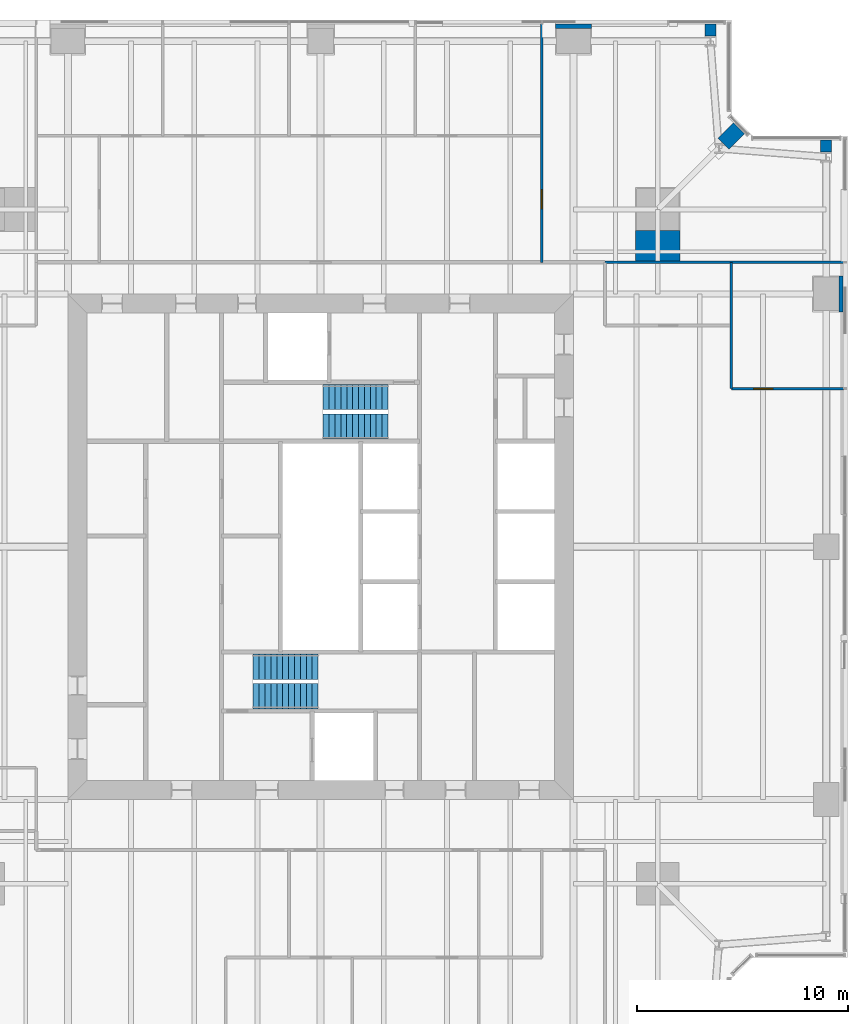
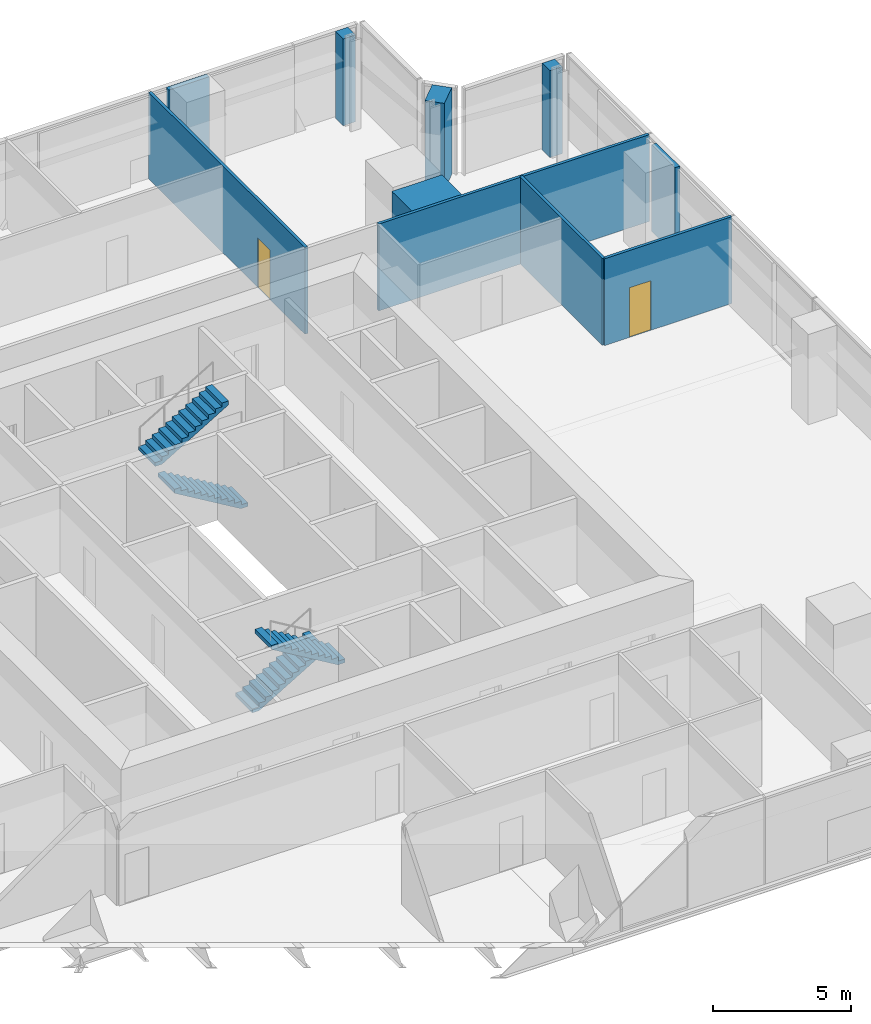
# One storey, part 12 of 14: 10 walls, 4 stair flights, 2 doors, 2 openings, 2 elements without a shape of their own.
"""IFC4 building model written with IfcOpenShell, lengths in metres."""

from ifc_helpers import new_model, si_unit, direction, frame, frame_2d, origin, place, context, subcontext, project, spatial, polyline, rectangle, outline, extrude, material, layer, layer_set, type_object, element, fill, aggregate, save


model = new_model("IFC4")

# Units and contexts
model_context = context("Model", 3, precision=1e-05, world=origin(), true_north=direction((0.0, 1.0)))
body_context = subcontext(model_context, "Body", "Model", "MODEL_VIEW")
ifc_project = project(units=[si_unit("LENGTHUNIT", "METRE"), si_unit("AREAUNIT", "SQUARE_METRE"), si_unit("VOLUMEUNIT", "CUBIC_METRE"), si_unit("PLANEANGLEUNIT", "RADIAN"), si_unit("MASSUNIT", "GRAM", prefix="KILO")], contexts=[model_context])

# Site, building, storey
site_placement = place(None, origin())
site = spatial("IfcSite", under=ifc_project, at=site_placement, CompositionType="ELEMENT")
building_placement = place(site_placement, origin())
building = spatial("IfcBuilding", under=site, at=building_placement, Name="Fenwick Lantern Interchange", CompositionType="ELEMENT")
storey_placement = place(building_placement, frame((0.0, 0.0, 193.800048828125)))
storey = spatial("IfcBuildingStorey", under=building, at=storey_placement, Name="L45", CompositionType="ELEMENT", Elevation=193.800048828125)

# Walls
ifc_material_1 = material(Name="Fire-rated gypsum board encasement on steel studs, 2 hour", Category="steel")
ifc_layer_1 = layer(ifc_material_1, 1.699951171875)
ifc_layer_set_1 = layer_set([ifc_layer_1], Name="COLUMN PIER 1700")
wall_type_1 = type_object("IfcWallType", Name="COLUMN PIER 1700", PredefinedType="PARTITIONING", material=ifc_layer_set_1)
for number, where, z_axis, x_axis, name in (
    (1, (49.800048828125, 37.0, 0.0), (0.0, 0.0, 1.0), (-1.0, 0.0, 0.0), "L45/W/PIER/CE4"),
    (2, (37.0, 49.800048828125, 0.0), (0.0, 0.0, 1.0), (0.0, -1.0, 0.0), "L45/W/PIER/CN2"),
):
    element("IfcWall", number, at=place(storey_placement, frame(where, z_axis=z_axis, x_axis=x_axis)), inside=storey, type_object=wall_type_1, Name=name, PredefinedType="PARTITIONING", context=body_context, shape_type="SweptSolid", body=[
        extrude(rectangle(XDim=0.199951171875, YDim=1.699951171875, at=frame_2d((0.10009765625, 0.0))), origin(), (0.0, 0.0, 1.0), 3.849853515625),
    ])
ifc_layer_2 = layer(ifc_material_1, 2.10009765625)
ifc_layer_set_2 = layer_set([ifc_layer_2], Name="COLUMN PIER 2100")
wall_type_2 = type_object("IfcWallType", Name="COLUMN PIER 2100", PredefinedType="PARTITIONING", material=ifc_layer_set_2)
wall_1_placement = place(storey_placement, frame((41.0, 38.5625, 0.0), z_axis=(0.0, 0.0, 1.0), x_axis=(0.0, 1.0, 0.0)))
element("IfcWall", 3, at=wall_1_placement, inside=storey, type_object=wall_type_2, Name="L45/W/PIER/M3", PredefinedType="PARTITIONING", context=body_context, shape_type="SweptSolid", body=[
    extrude(rectangle(XDim=1.4375, YDim=2.10009765625, at=frame_2d((0.71875, 0.0))), origin(), (0.0, 0.0, 1.0), 3.849853515625),
])
ifc_layer_3 = layer(ifc_material_1, 0.52392578125)
ifc_layer_set_3 = layer_set([ifc_layer_3], Name="COLUMN PIER 524")
wall_type_3 = type_object("IfcWallType", Name="COLUMN PIER 524", PredefinedType="PARTITIONING", material=ifc_layer_set_3)
for number, where, z_axis, x_axis, name in (
    (4, (49.0, 44.300048828125, 0.0), (0.0, 0.0, 1.0), (0.0, -1.0, 0.0), "L45/W/PIER/CE5"),
    (5, (43.5, 49.800048828125, 0.0), (0.0, 0.0, 1.0), (0.0, -1.0, 0.0), "L45/W/PIER/CN1"),
):
    element("IfcWall", number, at=place(storey_placement, frame(where, z_axis=z_axis, x_axis=x_axis)), inside=storey, type_object=wall_type_3, Name=name, PredefinedType="PARTITIONING", context=body_context, shape_type="SweptSolid", body=[
        extrude(rectangle(XDim=0.5625, YDim=0.52392578125, at=frame_2d((0.28125, 0.0))), origin(), (0.0, 0.0, 1.0), 3.849853515625),
    ])
ifc_layer_4 = layer(ifc_material_1, 0.736083984375)
ifc_layer_set_4 = layer_set([ifc_layer_4], Name="COLUMN PIER 736")
wall_type_4 = type_object("IfcWallType", Name="COLUMN PIER 736", PredefinedType="PARTITIONING", material=ifc_layer_set_4)
wall_2_placement = place(storey_placement, frame((44.858642578125, 44.858642578125, 0.0), z_axis=(0.0, 0.0, 1.0), x_axis=(-0.707106781187, -0.707106781187, 0.0)))
element("IfcWall", 6, at=wall_2_placement, inside=storey, type_object=wall_type_4, Name="L45/W/PIER/CER", PredefinedType="PARTITIONING", context=body_context, shape_type="SweptSolid", body=[
    extrude(rectangle(XDim=1.037841796875, YDim=0.736083984375, at=frame_2d((0.51904296875, 0.0))), origin(), (0.0, 0.0, 1.0), 3.849853515625),
])

# Wall, opening, door
ifc_material_2 = material(Name="Gypsum board on steel studs, acoustic", Category="steel")
ifc_layer_5 = layer(ifc_material_2, 0.125)
ifc_layer_set_5 = layer_set([ifc_layer_5], Name="OFFICE PARTITION 125")
wall_type_5 = type_object("IfcWallType", Name="OFFICE PARTITION 125", PredefinedType="PARTITIONING", material=ifc_layer_set_5)
wall_3_placement = place(storey_placement, frame((49.85009765625, 32.5, 0.0), z_axis=(0.0, 0.0, 1.0), x_axis=(-1.0, 0.0, 0.0)))
wall_3 = element("IfcWall", 7, at=wall_3_placement, inside=storey, type_object=wall_type_5, Name="L45/W/OFF/E/X325-1", PredefinedType="PARTITIONING", context=body_context, shape_type="SweptSolid", body=[
    extrude(rectangle(XDim=5.35009765625, YDim=0.125, at=frame_2d((2.675048828125, 0.0))), origin(), (0.0, 0.0, 1.0), 3.849853515625),
])
opening_1_placement = place(wall_3_placement, frame((3.39990234375, 0.0, 0.0)))
opening_1 = element("IfcOpeningElement", 8, at=opening_1_placement, cuts=wall_3, Name="Opening L45-D029", PredefinedType="OPENING", context=body_context, shape_type="SweptSolid", body=[
    extrude(rectangle(XDim=0.89990234375, YDim=2.199951171875, at=frame_2d((0.449951171875, 1.10009765625))), frame((0.0, 0.072509765625, 0.0), z_axis=(0.0, -1.0, 0.0), x_axis=(1.0, 0.0, 0.0)), (0.0, 0.0, 1.0), 0.14501953125),
])
ifc_material_3 = material(Name="Hardwood door and steel frame", Category="steel")
door_type = type_object("IfcDoorType", Name="OFFICE DOOR 900 X 2200", OperationType="SINGLE_SWING_LEFT", PredefinedType="DOOR", material=ifc_material_3)
door_1_placement = place(opening_1_placement, frame((0.89990234375, 0.0, 0.0), z_axis=(0.0, 0.0, 1.0), x_axis=(-1.0, 0.0, 0.0)))
door_1 = element("IfcDoor", 9, at=door_1_placement, inside=storey, type_object=door_type, Name="Office door", OperationType="SINGLE_SWING_LEFT", OverallHeight=2.199951171875, OverallWidth=0.89990234375, PredefinedType="DOOR", context=body_context, shape_type="SweptSolid", body=[
    extrude(rectangle(XDim=0.89990234375, YDim=2.199951171875, at=frame_2d((0.449951171875, 1.10009765625))), frame((0.0, 0.02490234375, 0.0), z_axis=(0.0, -1.0, 0.0), x_axis=(1.0, 0.0, 0.0)), (0.0, 0.0, 1.0), 0.050048828125),
])
fill(opening_1, door_1)

# Walls
wall_4_placement = place(storey_placement, frame((44.5, 32.5, 0.0), z_axis=(0.0, 0.0, 1.0), x_axis=(0.0, 1.0, 0.0)))
element("IfcWall", 10, at=wall_4_placement, inside=storey, type_object=wall_type_5, Name="L45/W/OFF/E/Y55-1", PredefinedType="PARTITIONING", context=body_context, shape_type="SweptSolid", body=[
    extrude(rectangle(XDim=6.0, YDim=0.125, at=frame_2d((3.0, 0.0))), origin(), (0.0, 0.0, 1.0), 3.849853515625),
])
wall_5_placement = place(storey_placement, frame((49.85009765625, 38.5, 0.0), z_axis=(0.0, 0.0, 1.0), x_axis=(-1.0, 0.0, 0.0)))
element("IfcWall", 11, at=wall_5_placement, inside=storey, type_object=wall_type_5, Name="L45/W/OFF/N/BACK", PredefinedType="PARTITIONING", context=body_context, shape_type="SweptSolid", body=[
    extrude(rectangle(XDim=11.35009765625, YDim=0.125, at=frame_2d((5.675048828125, 0.0))), origin(), (0.0, 0.0, 1.0), 3.849853515625),
])

# Wall, opening, door
wall_6_placement = place(storey_placement, frame((35.5, 49.85009765625, 0.0), z_axis=(0.0, 0.0, 1.0), x_axis=(0.0, -1.0, 0.0)))
wall_6 = element("IfcWall", 12, at=wall_6_placement, inside=storey, type_object=wall_type_5, Name="L45/W/OFF/N/X145-1", PredefinedType="PARTITIONING", context=body_context, shape_type="SweptSolid", body=[
    extrude(rectangle(XDim=11.35009765625, YDim=0.125, at=frame_2d((5.675048828125, 0.0))), origin(), (0.0, 0.0, 1.0), 3.849853515625),
])
opening_2_placement = place(wall_6_placement, frame((7.89990234375, 0.0, 0.0)))
opening_2 = element("IfcOpeningElement", 13, at=opening_2_placement, cuts=wall_6, Name="Opening L45-D032", PredefinedType="OPENING", context=body_context, shape_type="SweptSolid", body=[
    extrude(rectangle(XDim=0.89990234375, YDim=2.199951171875, at=frame_2d((0.449951171875, 1.10009765625))), frame((0.0, 0.072509765625, 0.0), z_axis=(0.0, -1.0, 0.0), x_axis=(1.0, 0.0, 0.0)), (0.0, 0.0, 1.0), 0.14501953125),
])
door_2_placement = place(opening_2_placement, origin())
door_2 = element("IfcDoor", 14, at=door_2_placement, inside=storey, type_object=door_type, Name="Office door", OperationType="SINGLE_SWING_RIGHT", OverallHeight=2.199951171875, OverallWidth=0.89990234375, PredefinedType="DOOR", context=body_context, shape_type="SweptSolid", body=[
    extrude(rectangle(XDim=0.89990234375, YDim=2.199951171875, at=frame_2d((0.449951171875, 1.10009765625))), frame((0.0, 0.02490234375, 0.0), z_axis=(0.0, -1.0, 0.0), x_axis=(1.0, 0.0, 0.0)), (0.0, 0.0, 1.0), 0.050048828125),
])
fill(opening_2, door_2)

# Stair, stair flights
ifc_material_4 = material(Name="Precast concrete f'c 35 MPa", Category="concrete")
stair_type = type_object("IfcStairType", Name="EXIT STAIR 1200", PredefinedType="HALF_TURN_STAIR", material=ifc_material_4)
stair_1_placement = place(storey_placement, origin())
stair_1 = element("IfcStair", 15, at=stair_1_placement, inside=storey, type_object=stair_type, Name="Exit stair ST1", PredefinedType="HALF_TURN_STAIR")
stair_flight_type = type_object("IfcStairFlightType", Name="STAIR FLIGHT 1200", PredefinedType="STRAIGHT", material=ifc_material_4)
stair_flight_1_placement = place(storey_placement, frame((21.800048828125, 19.300048828125, 0.0), z_axis=(0.0, 0.0, 1.0), x_axis=(1.0, 0.0, 0.0)))
stair_flight_1 = element("IfcStairFlight", 16, at=stair_flight_1_placement, type_object=stair_flight_type, Name="ST1 flight 1", NumberOfRisers=12, NumberOfTreads=11, PredefinedType="STRAIGHT", RiserHeight=0.166666667, TreadLength=0.28, context=body_context, shape_type="SweptSolid", body=[
    extrude(outline(polyline([(0.0, 0.0), (0.0, 0.166748046875), (0.280029296875, 0.166748046875), (0.280029296875, 0.333251953125), (0.56005859375, 0.333251953125), (0.56005859375, 0.5), (0.840087890625, 0.5), (0.840087890625, 0.666748046875), (1.1201171875, 0.666748046875), (1.1201171875, 0.833251953125), (1.39990234375, 0.833251953125), (1.39990234375, 1.0), (1.679931640625, 1.0), (1.679931640625, 1.166748046875), (1.9599609375, 1.166748046875), (1.9599609375, 1.333251953125), (2.239990234375, 1.333251953125), (2.239990234375, 1.5), (2.52001953125, 1.5), (2.52001953125, 1.666748046875), (2.800048828125, 1.666748046875), (2.800048828125, 1.833251953125), (3.080078125, 1.833251953125), (3.080078125, 2.0), (3.080078125, 1.658935546875), (0.29296875, 0.0), (0.0, 0.0)])), frame((0.0, 0.60009765625, 0.0), z_axis=(0.0, -1.0, 0.0), x_axis=(1.0, 0.0, 0.0)), (0.0, 0.0, 1.0), 1.199951171875),
])
stair_flight_2_placement = place(storey_placement, frame((24.8798828125, 17.89990234375, 2.0), z_axis=(0.0, 0.0, 1.0), x_axis=(-1.0, 0.0, 0.0)))
stair_flight_2 = element("IfcStairFlight", 17, at=stair_flight_2_placement, type_object=stair_flight_type, Name="ST1 flight 2", NumberOfRisers=12, NumberOfTreads=11, PredefinedType="STRAIGHT", RiserHeight=0.166666667, TreadLength=0.28, context=body_context, shape_type="SweptSolid", body=[
    extrude(outline(polyline([(0.0, 0.0), (0.0, 0.166748046875), (0.280029296875, 0.166748046875), (0.280029296875, 0.333251953125), (0.56005859375, 0.333251953125), (0.56005859375, 0.5), (0.840087890625, 0.5), (0.840087890625, 0.666748046875), (1.1201171875, 0.666748046875), (1.1201171875, 0.833251953125), (1.39990234375, 0.833251953125), (1.39990234375, 1.0), (1.679931640625, 1.0), (1.679931640625, 1.166748046875), (1.9599609375, 1.166748046875), (1.9599609375, 1.333251953125), (2.239990234375, 1.333251953125), (2.239990234375, 1.5), (2.52001953125, 1.5), (2.52001953125, 1.666748046875), (2.800048828125, 1.666748046875), (2.800048828125, 1.833251953125), (3.080078125, 1.833251953125), (3.080078125, 2.0), (3.080078125, 1.658935546875), (0.29296875, 0.0), (0.0, 0.0)])), frame((0.0, 0.60009765625, 0.0), z_axis=(0.0, -1.0, 0.0), x_axis=(1.0, 0.0, 0.0)), (0.0, 0.0, 1.0), 1.199951171875),
])
aggregate(stair_1, [stair_flight_1, stair_flight_2])

stair_2_placement = place(storey_placement, origin())
stair_2 = element("IfcStair", 18, at=stair_2_placement, inside=storey, type_object=stair_type, Name="Exit stair ST2", PredefinedType="HALF_TURN_STAIR")
stair_flight_3_placement = place(storey_placement, frame((28.199951171875, 30.699951171875, 0.0), z_axis=(0.0, 0.0, 1.0), x_axis=(-1.0, 0.0, 0.0)))
stair_flight_3 = element("IfcStairFlight", 19, at=stair_flight_3_placement, type_object=stair_flight_type, Name="ST2 flight 1", NumberOfRisers=12, NumberOfTreads=11, PredefinedType="STRAIGHT", RiserHeight=0.166666667, TreadLength=0.28, context=body_context, shape_type="SweptSolid", body=[
    extrude(outline(polyline([(0.0, 0.0), (0.0, 0.166748046875), (0.280029296875, 0.166748046875), (0.280029296875, 0.333251953125), (0.56005859375, 0.333251953125), (0.56005859375, 0.5), (0.840087890625, 0.5), (0.840087890625, 0.666748046875), (1.1201171875, 0.666748046875), (1.1201171875, 0.833251953125), (1.39990234375, 0.833251953125), (1.39990234375, 1.0), (1.679931640625, 1.0), (1.679931640625, 1.166748046875), (1.9599609375, 1.166748046875), (1.9599609375, 1.333251953125), (2.239990234375, 1.333251953125), (2.239990234375, 1.5), (2.52001953125, 1.5), (2.52001953125, 1.666748046875), (2.800048828125, 1.666748046875), (2.800048828125, 1.833251953125), (3.080078125, 1.833251953125), (3.080078125, 2.0), (3.080078125, 1.658935546875), (0.29296875, 0.0), (0.0, 0.0)])), frame((0.0, 0.60009765625, 0.0), z_axis=(0.0, -1.0, 0.0), x_axis=(1.0, 0.0, 0.0)), (0.0, 0.0, 1.0), 1.199951171875),
])
stair_flight_4_placement = place(storey_placement, frame((25.1201171875, 32.10009765625, 2.0), z_axis=(0.0, 0.0, 1.0), x_axis=(1.0, 0.0, 0.0)))
stair_flight_4 = element("IfcStairFlight", 20, at=stair_flight_4_placement, type_object=stair_flight_type, Name="ST2 flight 2", NumberOfRisers=12, NumberOfTreads=11, PredefinedType="STRAIGHT", RiserHeight=0.166666667, TreadLength=0.28, context=body_context, shape_type="SweptSolid", body=[
    extrude(outline(polyline([(0.0, 0.0), (0.0, 0.166748046875), (0.280029296875, 0.166748046875), (0.280029296875, 0.333251953125), (0.56005859375, 0.333251953125), (0.56005859375, 0.5), (0.840087890625, 0.5), (0.840087890625, 0.666748046875), (1.1201171875, 0.666748046875), (1.1201171875, 0.833251953125), (1.39990234375, 0.833251953125), (1.39990234375, 1.0), (1.679931640625, 1.0), (1.679931640625, 1.166748046875), (1.9599609375, 1.166748046875), (1.9599609375, 1.333251953125), (2.239990234375, 1.333251953125), (2.239990234375, 1.5), (2.52001953125, 1.5), (2.52001953125, 1.666748046875), (2.800048828125, 1.666748046875), (2.800048828125, 1.833251953125), (3.080078125, 1.833251953125), (3.080078125, 2.0), (3.080078125, 1.658935546875), (0.29296875, 0.0), (0.0, 0.0)])), frame((0.0, 0.60009765625, 0.0), z_axis=(0.0, -1.0, 0.0), x_axis=(1.0, 0.0, 0.0)), (0.0, 0.0, 1.0), 1.199951171875),
])
aggregate(stair_2, [stair_flight_3, stair_flight_4])

save(model, "model.ifc")
